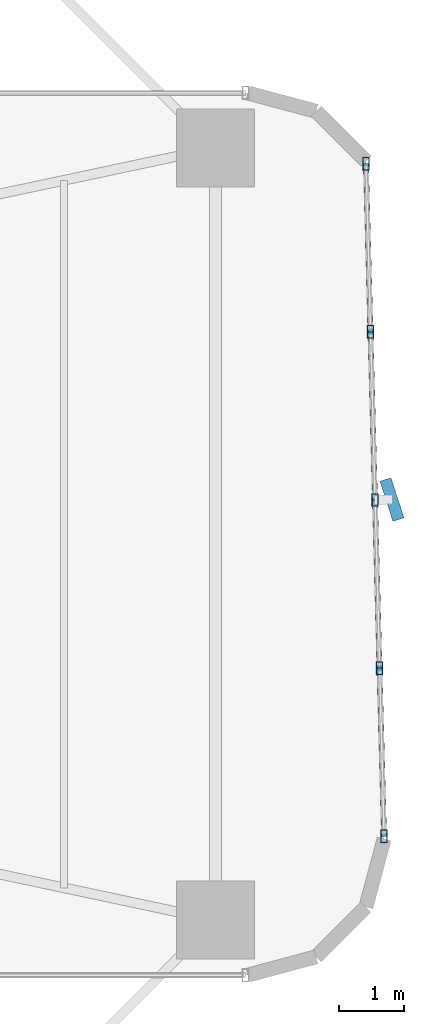
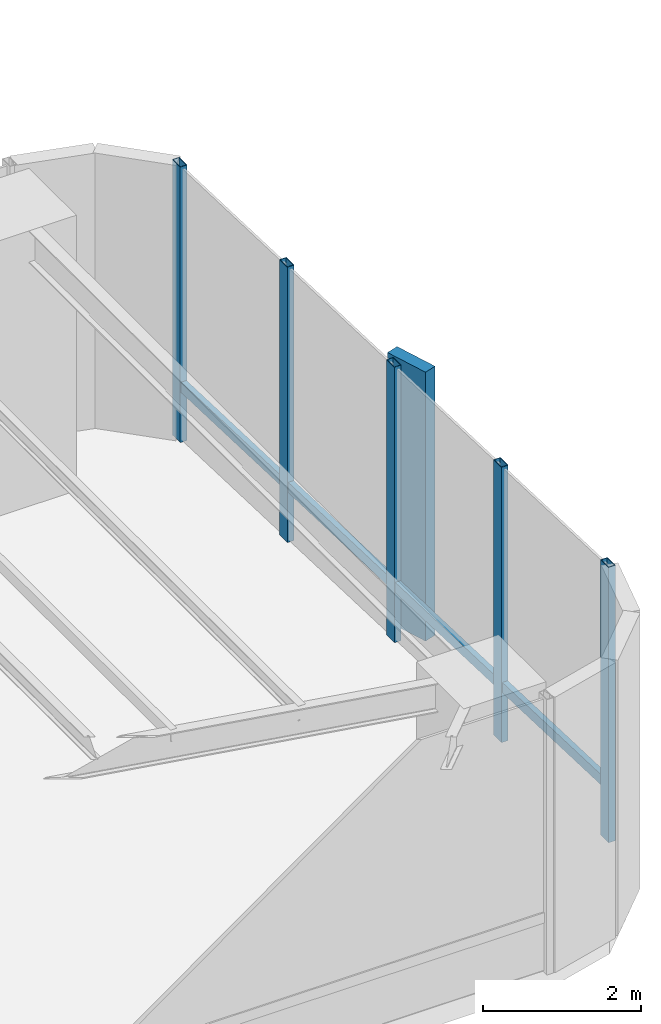
# One storey, part 10 of 20: 10 members, 1 element without a shape of its own.
"""IFC4 building model written with IfcOpenShell, lengths in metres."""

from ifc_helpers import new_model, si_unit, direction, frame, origin, origin_2d, place, context, subcontext, project, spatial, rectangle, hollow_rectangle, extrude, source, transform, mapped, material, material_profile, profile_set, type_object, element, aggregate, save


model = new_model("IFC4")

# Units and contexts
model_context = context("Model", 3, precision=1e-05, world=origin(), true_north=direction((0.0, 1.0)))
body_context = subcontext(model_context, "Body", "Model", "MODEL_VIEW")
ifc_project = project(units=[si_unit("LENGTHUNIT", "METRE"), si_unit("AREAUNIT", "SQUARE_METRE"), si_unit("VOLUMEUNIT", "CUBIC_METRE"), si_unit("PLANEANGLEUNIT", "RADIAN"), si_unit("MASSUNIT", "GRAM", prefix="KILO")], contexts=[model_context])

# Site, building, storey
site_placement = place(None, origin())
site = spatial("IfcSite", under=ifc_project, at=site_placement, CompositionType="ELEMENT")
building_placement = place(site_placement, origin())
building = spatial("IfcBuilding", under=site, at=building_placement, Name="Sahyath Konkavel Grand Hotel", CompositionType="ELEMENT")
storey_placement = place(building_placement, frame((0.0, 0.0, 46.550048828125)))
storey = spatial("IfcBuildingStorey", under=building, at=storey_placement, Name="L12", CompositionType="ELEMENT", Elevation=46.550048828125)

# Curtain wall, members
ifc_material_1 = material(Name="Anodised Bronze Aluminium & Low-E Glazing", Category="aluminium")
curtain_wall_type = type_object("IfcCurtainWallType", Name="CW-SKYLOBBY", PredefinedType="NOTDEFINED", material=ifc_material_1)
curtain_wall_placement = place(storey_placement, origin())
curtain_wall = element("IfcCurtainWall", 1, at=curtain_wall_placement, inside=storey, type_object=curtain_wall_type, Name="L12 Unitised Curtain Wall F4", PredefinedType="NOTDEFINED")
ifc_material_2 = material(Name="Anodised Bronze Aluminium", Category="aluminium")
ifc_material_profile_1 = material_profile(ifc_material_2, hollow_rectangle(XDim=0.10009765625, YDim=0.199951171875, WallThickness=0.008056640625, at=origin_2d()), Name="RHS 200x100x8")
ifc_profile_set_1 = profile_set([ifc_material_profile_1], Name="Anodised Bronze Aluminium")
member_type_1 = type_object("IfcMemberType", Name="CW-MUL-200", PredefinedType="MULLION", material=ifc_profile_set_1)
shared_shape_1 = source(origin(), body_context, "Body", "SweptSolid", [
    extrude(hollow_rectangle(XDim=0.10009765625, YDim=0.199951171875, WallThickness=0.008056640625, at=origin_2d()), origin(), (0.0, 0.0, 1.0), 4.260009765625),
])
member_1_placement = place(storey_placement, frame((24.798828125, -4.659912109375, 0.0), z_axis=(0.0, 0.0, 1.0), x_axis=(1.0, 0.0, 0.0)))
member_1 = element("IfcMember", 2, at=member_1_placement, type_object=member_type_1, Name="L12 Curtain Wall Mullion F4-0", PredefinedType="MULLION", context=body_context, shape_type="MappedRepresentation", body=[
    mapped(shared_shape_1, transform((0.0, 0.0, 0.0), scale=1.0)),
])
member_2_placement = place(storey_placement, frame((24.72900390625, -2.0673828125, 0.0), z_axis=(0.0, 0.0, 1.0), x_axis=(1.0, 0.0, 0.0)))
member_2 = element("IfcMember", 3, at=member_2_placement, type_object=member_type_1, Name="L12 Curtain Wall Mullion F4-1", PredefinedType="MULLION", context=body_context, shape_type="MappedRepresentation", body=[
    mapped(shared_shape_1, transform((0.0, 0.0, 0.0), scale=1.0)),
])
member_3_placement = place(storey_placement, frame((24.6591796875, 0.52490234375, 0.0), z_axis=(0.0, 0.0, 1.0), x_axis=(1.0, 0.0, 0.0)))
member_3 = element("IfcMember", 4, at=member_3_placement, type_object=member_type_1, Name="L12 Curtain Wall Mullion F4-2", PredefinedType="MULLION", context=body_context, shape_type="MappedRepresentation", body=[
    mapped(shared_shape_1, transform((0.0, 0.0, 0.0), scale=1.0)),
])
member_4_placement = place(storey_placement, frame((24.589599609375, 3.117431640625, 0.0), z_axis=(0.0, 0.0, 1.0), x_axis=(1.0, 0.0, 0.0)))
member_4 = element("IfcMember", 5, at=member_4_placement, type_object=member_type_1, Name="L12 Curtain Wall Mullion F4-3", PredefinedType="MULLION", context=body_context, shape_type="MappedRepresentation", body=[
    mapped(shared_shape_1, transform((0.0, 0.0, 0.0), scale=1.0)),
])
member_5_placement = place(storey_placement, frame((24.519775390625, 5.7099609375, 0.0), z_axis=(0.0, 0.0, 1.0), x_axis=(1.0, 0.0, 0.0)))
member_5 = element("IfcMember", 6, at=member_5_placement, type_object=member_type_1, Name="L12 Curtain Wall Mullion F4-4", PredefinedType="MULLION", context=body_context, shape_type="MappedRepresentation", body=[
    mapped(shared_shape_1, transform((0.0, 0.0, 0.0), scale=1.0)),
])
ifc_material_profile_2 = material_profile(ifc_material_2, hollow_rectangle(XDim=0.080078125, YDim=0.159912109375, WallThickness=0.006103515625, at=origin_2d()), Name="RHS 160x80x6")
ifc_profile_set_2 = profile_set([ifc_material_profile_2], Name="Anodised Bronze Aluminium")
member_type_2 = type_object("IfcMemberType", Name="CW-TRN-160", PredefinedType="USERDEFINED", material=ifc_profile_set_2)
shared_shape_2 = source(origin(), body_context, "Body", "SweptSolid", [
    extrude(hollow_rectangle(XDim=0.080078125, YDim=0.159912109375, WallThickness=0.006103515625, at=origin_2d()), origin(), (0.0, 0.0, 1.0), 2.593505859375),
])
member_6_placement = place(storey_placement, frame((24.798828125, -4.659912109375, 0.849853515625), z_axis=(-0.026923093252, 0.999637507825, 0.0), x_axis=(-0.999637507825, -0.026923093252, 0.0)))
member_6 = element("IfcMember", 7, at=member_6_placement, type_object=member_type_2, Name="L12 Curtain Wall Transom F4-0-spandrel", ObjectType="TRANSOM", PredefinedType="USERDEFINED", context=body_context, shape_type="MappedRepresentation", body=[
    mapped(shared_shape_2, transform((0.0, 0.0, 0.0), scale=1.0)),
])
member_7_placement = place(storey_placement, frame((24.6591796875, 0.52490234375, 0.849853515625), z_axis=(-0.02682902444, 0.999640036937, 0.0), x_axis=(-0.999640036937, -0.02682902444, 0.0)))
member_7 = element("IfcMember", 8, at=member_7_placement, type_object=member_type_2, Name="L12 Curtain Wall Transom F4-2-spandrel", ObjectType="TRANSOM", PredefinedType="USERDEFINED", context=body_context, shape_type="MappedRepresentation", body=[
    mapped(shared_shape_2, transform((0.0, 0.0, 0.0), scale=1.0)),
])
member_8_placement = place(storey_placement, frame((24.589599609375, 3.117431640625, 0.849853515625), z_axis=(-0.026923093252, 0.999637507825, 0.0), x_axis=(-0.999637507825, -0.026923093252, 0.0)))
member_8 = element("IfcMember", 9, at=member_8_placement, type_object=member_type_2, Name="L12 Curtain Wall Transom F4-3-spandrel", ObjectType="TRANSOM", PredefinedType="USERDEFINED", context=body_context, shape_type="MappedRepresentation", body=[
    mapped(shared_shape_2, transform((0.0, 0.0, 0.0), scale=1.0)),
])
shared_shape_3 = source(origin(), body_context, "Body", "SweptSolid", [
    extrude(hollow_rectangle(XDim=0.080078125, YDim=0.159912109375, WallThickness=0.006103515625, at=origin_2d()), origin(), (0.0, 0.0, 1.0), 2.59326171875),
])
member_9_placement = place(storey_placement, frame((24.72900390625, -2.0673828125, 0.849853515625), z_axis=(-0.026925627022, 0.99963743958, 0.0), x_axis=(-0.99963743958, -0.026925627022, 0.0)))
member_9 = element("IfcMember", 10, at=member_9_placement, type_object=member_type_2, Name="L12 Curtain Wall Transom F4-1-spandrel", ObjectType="TRANSOM", PredefinedType="USERDEFINED", context=body_context, shape_type="MappedRepresentation", body=[
    mapped(shared_shape_3, transform((0.0, 0.0, 0.0), scale=1.0)),
])
ifc_material_3 = material(Name="Warm Buff Sandstone Cladding on Concrete C50/60", Category="masonry")
ifc_material_profile_3 = material_profile(ifc_material_3, rectangle(XDim=0.179931640625, YDim=0.64990234375, at=origin_2d()), Name="FIN 180x650")
ifc_profile_set_3 = profile_set([ifc_material_profile_3], Name="Warm Buff Sandstone Cladding on Concrete C50/60")
member_type_3 = type_object("IfcMemberType", Name="FIN-SANDSTONE-650", PredefinedType="MULLION", material=ifc_profile_set_3)
shared_shape_4 = source(origin(), body_context, "Body", "SweptSolid", [
    extrude(rectangle(XDim=0.179931640625, YDim=0.64990234375, at=origin_2d()), origin(), (0.0, 0.0, 1.0), 4.159912109375),
])
member_10_placement = place(storey_placement, frame((24.919189453125, 0.531982421875, 0.050048828125), z_axis=(0.0, 0.0, 1.0), x_axis=(0.951648033235, 0.307190528564, 0.0)))
member_10 = element("IfcMember", 11, at=member_10_placement, type_object=member_type_3, Name="L12 Sandstone Vertical Solar Fin FIN F4-2", PredefinedType="MULLION", context=body_context, shape_type="MappedRepresentation", body=[
    mapped(shared_shape_4, transform((0.0, 0.0, 0.0), scale=1.0)),
])
aggregate(curtain_wall, [member_1, member_2, member_3, member_10, member_4, member_5, member_6, member_9, member_7, member_8])

save(model, "model.ifc")
